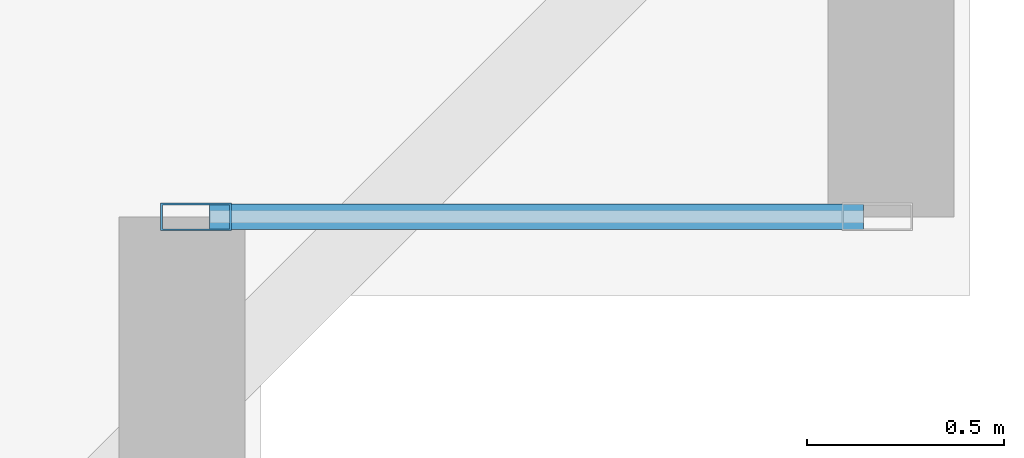
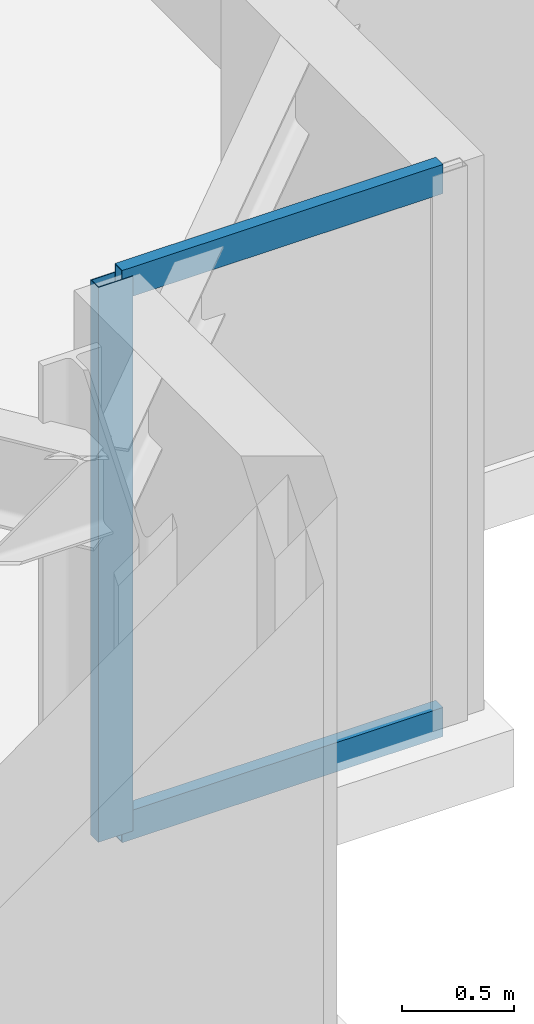
# One storey, part 6 of 22: 3 members, 1 element without a shape of its own.
"""IFC4 building model written with IfcOpenShell, lengths in metres."""

from ifc_helpers import new_model, si_unit, direction, frame, origin, origin_2d, place, context, subcontext, project, spatial, hollow_rectangle, extrude, material, layer, layer_set, material_profile, profile_set, type_object, element, aggregate, save


model = new_model("IFC4")

# Units and contexts
model_context = context("Model", 3, precision=1e-05, world=origin(), true_north=direction((0.0, 1.0)))
body_context = subcontext(model_context, "Body", "Model", "MODEL_VIEW")
ifc_project = project(units=[si_unit("LENGTHUNIT", "METRE"), si_unit("AREAUNIT", "SQUARE_METRE"), si_unit("VOLUMEUNIT", "CUBIC_METRE"), si_unit("PLANEANGLEUNIT", "RADIAN"), si_unit("MASSUNIT", "GRAM", prefix="KILO")], contexts=[model_context])

# Site, building, storey
site_placement = place(None, origin())
site = spatial("IfcSite", under=ifc_project, at=site_placement, CompositionType="ELEMENT")
building_placement = place(site_placement, origin())
building = spatial("IfcBuilding", under=site, at=building_placement, Name="Qobustan Lattice House", CompositionType="ELEMENT")
storey_placement = place(building_placement, frame((0.0, 0.0, 33.699951171875)))
storey = spatial("IfcBuildingStorey", under=building, at=storey_placement, Name="L08", CompositionType="ELEMENT", Elevation=33.699951171875)

# Curtain wall, members
ifc_material_1 = material(Name="Anodised aluminium and low-E glazing", Category="aluminium")
ifc_layer = layer(ifc_material_1, 0.219970703125)
ifc_layer_set = layer_set([ifc_layer], Name="Anodised aluminium and low-E glazing")
curtain_wall_type = type_object("IfcCurtainWallType", Name="CW-FAC-01", PredefinedType="USERDEFINED", material=ifc_layer_set)
curtain_wall_placement = place(storey_placement, origin())
curtain_wall = element("IfcCurtainWall", 1, at=curtain_wall_placement, inside=storey, type_object=curtain_wall_type, Name="L08 serrated corner faceted glazing 18", ObjectType="CURTAIN WALL", PredefinedType="USERDEFINED")
ifc_material_2 = material(Name="Anodised aluminium EN AW-6063 T6", Category="aluminium")
ifc_material_profile_1 = material_profile(ifc_material_2, hollow_rectangle(XDim=0.070068359375, YDim=0.179931640625, WallThickness=0.00439453125, at=origin_2d()), Name="CWM-180x70")
ifc_profile_set_1 = profile_set([ifc_material_profile_1], Name="Anodised aluminium EN AW-6063 T6")
member_type_1 = type_object("IfcMemberType", Name="CWM-STD-180", PredefinedType="MULLION", material=ifc_profile_set_1)
member_1_placement = place(storey_placement, frame((29.235107421875, -17.60009765625, 0.0), z_axis=(0.0, 0.0, 1.0), x_axis=(0.0, -1.0, 0.0)))
member_1 = element("IfcMember", 2, at=member_1_placement, type_object=member_type_1, Name="CW-F1 mullion 2", PredefinedType="MULLION", context=body_context, shape_type="SweptSolid", body=[
    extrude(hollow_rectangle(XDim=0.070068359375, YDim=0.179931640625, WallThickness=0.00439453125, at=origin_2d()), origin(), (0.0, 0.0, 1.0), 3.03515625),
])
ifc_material_3 = material(Name="Anodised aluminium EN AW-6063 T6", Category="aluminium")
ifc_material_profile_2 = material_profile(ifc_material_3, hollow_rectangle(XDim=0.06494140625, YDim=0.159912109375, WallThickness=0.00390625, at=origin_2d()), Name="CWT-160x65")
ifc_profile_set_2 = profile_set([ifc_material_profile_2], Name="Anodised aluminium EN AW-6063 T6")
member_type_2 = type_object("IfcMemberType", Name="CWT-HOR-160", PredefinedType="USERDEFINED", material=ifc_profile_set_2)
member_2_placement = place(storey_placement, frame((30.929931640625, -17.60009765625, 0.032470703125), z_axis=(-1.0, 0.0, 0.0), x_axis=(0.0, -1.0, 0.0)))
member_2 = element("IfcMember", 3, at=member_2_placement, type_object=member_type_2, Name="CW-F1 transom 1.1", ObjectType="TRANSOM", PredefinedType="USERDEFINED", context=body_context, shape_type="SweptSolid", body=[
    extrude(hollow_rectangle(XDim=0.06494140625, YDim=0.159912109375, WallThickness=0.00390625, at=origin_2d()), origin(), (0.0, 0.0, 1.0), 1.659912109375),
])
member_3_placement = place(storey_placement, frame((30.929931640625, -17.60009765625, 3.00244140625), z_axis=(-1.0, 0.0, 0.0), x_axis=(0.0, -1.0, 0.0)))
member_3 = element("IfcMember", 4, at=member_3_placement, type_object=member_type_2, Name="CW-F1 transom 1.2", ObjectType="TRANSOM", PredefinedType="USERDEFINED", context=body_context, shape_type="SweptSolid", body=[
    extrude(hollow_rectangle(XDim=0.06494140625, YDim=0.159912109375, WallThickness=0.00390625, at=origin_2d()), origin(), (0.0, 0.0, 1.0), 1.659912109375),
])
aggregate(curtain_wall, [member_1, member_2, member_3])

save(model, "model.ifc")
